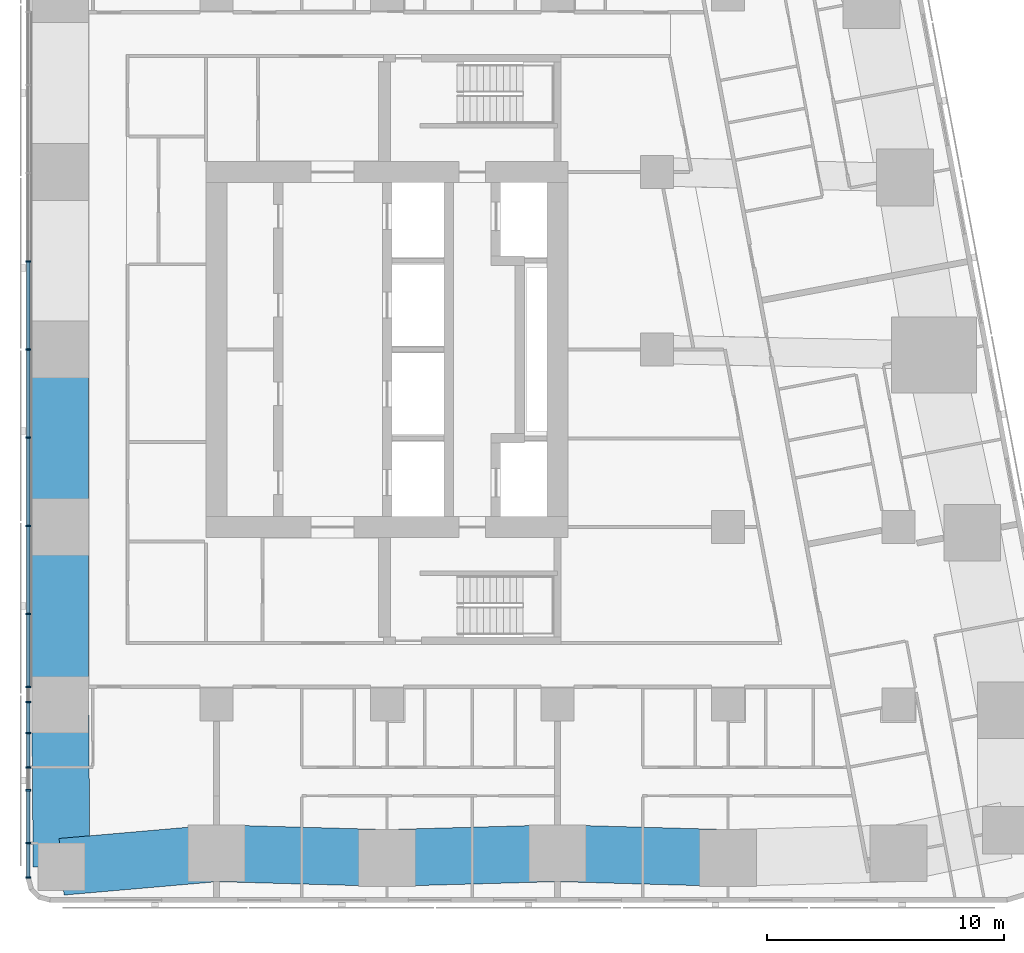
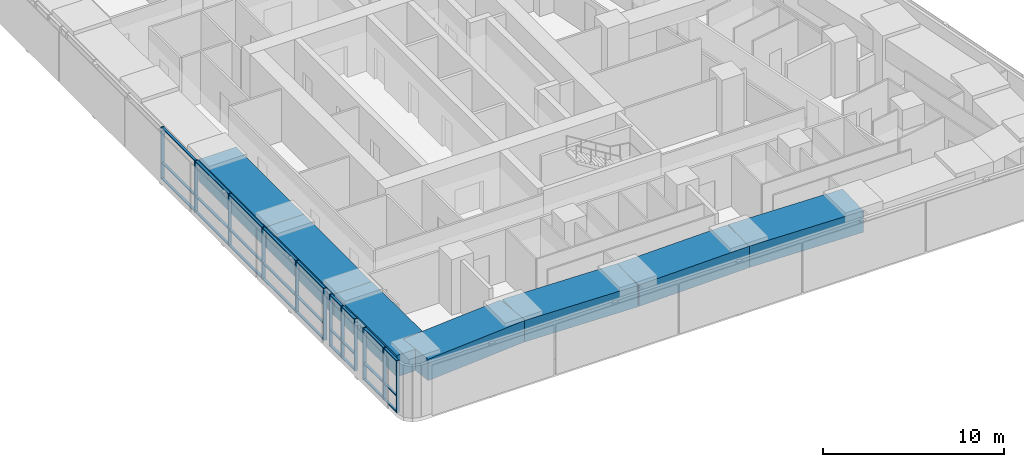
# One storey, part 2 of 19: 39 members, 7 beams, 1 element without a shape of its own.
"""IFC4 building model written with IfcOpenShell, lengths in metres."""

from ifc_helpers import new_model, si_unit, direction, frame, origin, origin_2d, place, context, subcontext, project, spatial, rectangle, extrude, material, material_profile, profile_set, type_object, element, aggregate, save


model = new_model("IFC4")

# Units and contexts
model_context = context("Model", 3, precision=1e-05, world=origin(), true_north=direction((0.0, 1.0)))
body_context = subcontext(model_context, "Body", "Model", "MODEL_VIEW")
ifc_project = project(units=[si_unit("LENGTHUNIT", "METRE"), si_unit("AREAUNIT", "SQUARE_METRE"), si_unit("VOLUMEUNIT", "CUBIC_METRE"), si_unit("PLANEANGLEUNIT", "RADIAN"), si_unit("MASSUNIT", "GRAM", prefix="KILO")], contexts=[model_context])

# Site, building, storey
site_placement = place(None, origin())
site = spatial("IfcSite", under=ifc_project, at=site_placement, CompositionType="ELEMENT")
building_placement = place(site_placement, origin())
building = spatial("IfcBuilding", under=site, at=building_placement, Name="Sheger Commons Tower", CompositionType="ELEMENT")
storey_placement = place(building_placement, frame((0.0, 0.0, 201.199951171875)))
storey = spatial("IfcBuildingStorey", under=building, at=storey_placement, Name="L51", CompositionType="ELEMENT", Elevation=201.199951171875)

# Curtain wall, members
ifc_material_1 = material(Name="Black aluminium curtain wall, dark tinted glazing", Category="aluminium")
curtain_wall_type = type_object("IfcCurtainWallType", Name="CURTAIN WALL CW4 GALLERY", PredefinedType="USERDEFINED", material=ifc_material_1)
curtain_wall_placement = place(storey_placement, origin())
curtain_wall = element("IfcCurtainWall", 1, at=curtain_wall_placement, inside=storey, type_object=curtain_wall_type, Name="Curtain Wall Cw4 Gallery W1 L51", ObjectType="UNITISED CURTAIN WALL", PredefinedType="USERDEFINED")
ifc_material_2 = material(Name="Black anodised aluminium", Category="aluminium")
ifc_material_profile_1 = material_profile(ifc_material_2, rectangle(XDim=0.199951171875, YDim=0.06494140625, at=origin_2d()), Name="AL 65x200")
ifc_profile_set_1 = profile_set([ifc_material_profile_1], Name="Black anodised aluminium")
member_type_1 = type_object("IfcMemberType", Name="MULLION AL 65x200", PredefinedType="MULLION", material=ifc_profile_set_1)
member_1_placement = place(storey_placement, frame((6.449951171875, 26.222900390625, 0.0), z_axis=(0.0, 0.0, 1.0), x_axis=(1.0, 0.0, 0.0)))
member_1 = element("IfcMember", 2, at=member_1_placement, type_object=member_type_1, Name="CW4 mullion 10", PredefinedType="MULLION", context=body_context, shape_type="SweptSolid", body=[
    extrude(rectangle(XDim=0.199951171875, YDim=0.06494140625, at=origin_2d()), origin(), (0.0, 0.0, 1.0), 3.5),
])
member_2_placement = place(storey_placement, frame((6.449951171875, 22.5, 0.0), z_axis=(0.0, 0.0, 1.0), x_axis=(1.0, 0.0, 0.0)))
member_2 = element("IfcMember", 3, at=member_2_placement, type_object=member_type_1, Name="CW4 mullion 11", PredefinedType="MULLION", context=body_context, shape_type="SweptSolid", body=[
    extrude(rectangle(XDim=0.199951171875, YDim=0.06494140625, at=origin_2d()), origin(), (0.0, 0.0, 1.0), 3.5),
])
member_3_placement = place(storey_placement, frame((6.449951171875, 18.777099609375, 0.0), z_axis=(0.0, 0.0, 1.0), x_axis=(1.0, 0.0, 0.0)))
member_3 = element("IfcMember", 4, at=member_3_placement, type_object=member_type_1, Name="CW4 mullion 12", PredefinedType="MULLION", context=body_context, shape_type="SweptSolid", body=[
    extrude(rectangle(XDim=0.199951171875, YDim=0.06494140625, at=origin_2d()), origin(), (0.0, 0.0, 1.0), 3.5),
])
member_4_placement = place(storey_placement, frame((6.449951171875, 15.053955078125, 0.0), z_axis=(0.0, 0.0, 1.0), x_axis=(1.0, 0.0, 0.0)))
member_4 = element("IfcMember", 5, at=member_4_placement, type_object=member_type_1, Name="CW4 mullion 13", PredefinedType="MULLION", context=body_context, shape_type="SweptSolid", body=[
    extrude(rectangle(XDim=0.199951171875, YDim=0.06494140625, at=origin_2d()), origin(), (0.0, 0.0, 1.0), 3.5),
])
member_5_placement = place(storey_placement, frame((6.449951171875, 11.3310546875, 0.0), z_axis=(0.0, 0.0, 1.0), x_axis=(1.0, 0.0, 0.0)))
member_5 = element("IfcMember", 6, at=member_5_placement, type_object=member_type_1, Name="CW4 mullion 14", PredefinedType="MULLION", context=body_context, shape_type="SweptSolid", body=[
    extrude(rectangle(XDim=0.199951171875, YDim=0.06494140625, at=origin_2d()), origin(), (0.0, 0.0, 1.0), 3.5),
])
member_6_placement = place(storey_placement, frame((6.449951171875, 8.25, 0.0), z_axis=(0.0, 0.0, 1.0), x_axis=(1.0, 0.0, 0.0)))
member_6 = element("IfcMember", 7, at=member_6_placement, type_object=member_type_1, Name="CW4 mullion 15", PredefinedType="MULLION", context=body_context, shape_type="SweptSolid", body=[
    extrude(rectangle(XDim=0.199951171875, YDim=0.06494140625, at=origin_2d()), origin(), (0.0, 0.0, 1.0), 3.5),
])
member_7_placement = place(storey_placement, frame((6.449951171875, 7.60888671875, 0.0), z_axis=(0.0, 0.0, 1.0), x_axis=(1.0, 0.0, 0.0)))
member_7 = element("IfcMember", 8, at=member_7_placement, type_object=member_type_1, Name="CW4 mullion 16", PredefinedType="MULLION", context=body_context, shape_type="SweptSolid", body=[
    extrude(rectangle(XDim=0.199951171875, YDim=0.06494140625, at=origin_2d()), origin(), (0.0, 0.0, 1.0), 3.5),
])
member_8_placement = place(storey_placement, frame((6.449951171875, 6.300048828125, 0.0), z_axis=(0.0, 0.0, 1.0), x_axis=(1.0, 0.0, 0.0)))
member_8 = element("IfcMember", 9, at=member_8_placement, type_object=member_type_1, Name="CW4 mullion 17", PredefinedType="MULLION", context=body_context, shape_type="SweptSolid", body=[
    extrude(rectangle(XDim=0.199951171875, YDim=0.06494140625, at=origin_2d()), origin(), (0.0, 0.0, 1.0), 3.5),
])
member_9_placement = place(storey_placement, frame((6.449951171875, 4.85009765625, 0.0), z_axis=(0.0, 0.0, 1.0), x_axis=(1.0, 0.0, 0.0)))
member_9 = element("IfcMember", 10, at=member_9_placement, type_object=member_type_1, Name="CW4 mullion 18", PredefinedType="MULLION", context=body_context, shape_type="SweptSolid", body=[
    extrude(rectangle(XDim=0.199951171875, YDim=0.06494140625, at=origin_2d()), origin(), (0.0, 0.0, 1.0), 3.5),
])
member_10_placement = place(storey_placement, frame((6.449951171875, 3.885986328125, 0.0), z_axis=(0.0, 0.0, 1.0), x_axis=(1.0, 0.0, 0.0)))
member_10 = element("IfcMember", 11, at=member_10_placement, type_object=member_type_1, Name="CW4 mullion 19", PredefinedType="MULLION", context=body_context, shape_type="SweptSolid", body=[
    extrude(rectangle(XDim=0.199951171875, YDim=0.06494140625, at=origin_2d()), origin(), (0.0, 0.0, 1.0), 3.5),
])
member_11_placement = place(storey_placement, frame((6.449951171875, 1.654052734375, 0.0), z_axis=(0.0, 0.0, 1.0), x_axis=(1.0, 0.0, 0.0)))
member_11 = element("IfcMember", 12, at=member_11_placement, type_object=member_type_1, Name="CW4 mullion 20", PredefinedType="MULLION", context=body_context, shape_type="SweptSolid", body=[
    extrude(rectangle(XDim=0.199951171875, YDim=0.06494140625, at=origin_2d()), origin(), (0.0, 0.0, 1.0), 3.5),
])
member_12_placement = place(storey_placement, frame((6.449951171875, 0.195556640625, 0.0), z_axis=(0.0, 0.0, 1.0), x_axis=(1.0, 0.0, 0.0)))
member_12 = element("IfcMember", 13, at=member_12_placement, type_object=member_type_1, Name="CW4 mullion 21", PredefinedType="MULLION", context=body_context, shape_type="SweptSolid", body=[
    extrude(rectangle(XDim=0.199951171875, YDim=0.06494140625, at=origin_2d()), origin(), (0.0, 0.0, 1.0), 3.5),
])

# Beams
ifc_material_3 = material(Name="Concrete C50/60", Category="concrete")
ifc_material_profile_2 = material_profile(ifc_material_3, rectangle(XDim=2.39990234375, YDim=1.449951171875, at=origin_2d()), Name="RC 2400x1450")
ifc_profile_set_2 = profile_set([ifc_material_profile_2], Name="Concrete C50/60")
beam_type = type_object("IfcBeamType", Name="SPANDREL RC 2400x1450", PredefinedType="SPANDREL", material=ifc_profile_set_2)
beam_1_placement = place(storey_placement, frame((7.85400390625, 0.654052734375, 2.775146484375), z_axis=(0.996216429799, 0.086906990501, 0.0), x_axis=(-0.086906990501, 0.996216429799, 0.0)))
element("IfcBeam", 14, at=beam_1_placement, inside=storey, type_object=beam_type, Name="Beam 2/A-3/A under L52", PredefinedType="SPANDREL", context=body_context, shape_type="SweptSolid", body=[
    extrude(rectangle(XDim=2.39990234375, YDim=1.449951171875, at=origin_2d()), origin(), (0.0, 0.0, 1.0), 6.57080078125),
])
beam_2_placement = place(storey_placement, frame((14.39990234375, 1.22509765625, 2.775146484375), z_axis=(0.999613688584, -0.027793409217, 0.0), x_axis=(0.027793409217, 0.999613688584, 0.0)))
element("IfcBeam", 15, at=beam_2_placement, inside=storey, type_object=beam_type, Name="Beam 3/A-4/A under L52", PredefinedType="SPANDREL", context=body_context, shape_type="SweptSolid", body=[
    extrude(rectangle(XDim=2.39990234375, YDim=1.449951171875, at=origin_2d()), origin(), (0.0, 0.0, 1.0), 7.202880859375),
])
for number, where, z_axis, x_axis, name in (
    (16, (21.60009765625, 1.02490234375, 2.775146484375), (0.9996136624, 0.027794350926, 0.0), (-0.027794350926, 0.9996136624, 0.0), "Beam 4/A-5/A under L52"),
    (17, (28.800048828125, 1.22509765625, 2.775146484375), (0.9996136624, -0.027794350926, 0.0), (0.027794350926, 0.9996136624, 0.0), "Beam 5/A-6/A under L52"),
):
    element("IfcBeam", number, at=place(storey_placement, frame(where, z_axis=z_axis, x_axis=x_axis)), inside=storey, type_object=beam_type, Name=name, PredefinedType="SPANDREL", context=body_context, shape_type="SweptSolid", body=[
        extrude(rectangle(XDim=2.39990234375, YDim=1.449951171875, at=origin_2d()), origin(), (0.0, 0.0, 1.0), 7.20263671875),
    ])
for number, where, z_axis, x_axis, name in (
    (18, (7.800048828125, 22.5, 2.775146484375), (0.0, -1.0, 0.0), (1.0, 0.0, 0.0), "Beam 2/D-2/C under L52"),
    (19, (7.800048828125, 15.0, 2.775146484375), (0.0, -1.0, 0.0), (1.0, 0.0, 0.0), "Beam 2/C-2/B under L52"),
):
    element("IfcBeam", number, at=place(storey_placement, frame(where, z_axis=z_axis, x_axis=x_axis)), inside=storey, type_object=beam_type, Name=name, PredefinedType="SPANDREL", context=body_context, shape_type="SweptSolid", body=[
        extrude(rectangle(XDim=2.39990234375, YDim=1.449951171875, at=origin_2d()), origin(), (0.0, 0.0, 1.0), 7.5),
    ])
beam_3_placement = place(storey_placement, frame((7.800048828125, 7.5, 2.775146484375), z_axis=(0.00788107188, -0.999968943871, 0.0), x_axis=(0.999968943871, 0.00788107188, 0.0)))
element("IfcBeam", 20, at=beam_3_placement, inside=storey, type_object=beam_type, Name="Beam 2/B-2/A under L52", PredefinedType="SPANDREL", context=body_context, shape_type="SweptSolid", body=[
    extrude(rectangle(XDim=2.39990234375, YDim=1.449951171875, at=origin_2d()), origin(), (0.0, 0.0, 1.0), 6.84619140625),
])

# Member
ifc_material_4 = material(Name="Black anodised aluminium", Category="aluminium")
ifc_material_profile_3 = material_profile(ifc_material_4, rectangle(XDim=0.14990234375, YDim=0.06494140625, at=origin_2d()), Name="AL 65x150")
ifc_profile_set_3 = profile_set([ifc_material_profile_3], Name="Black anodised aluminium")
member_type_2 = type_object("IfcMemberType", Name="TRANSOM AL 65x150", PredefinedType="USERDEFINED", material=ifc_profile_set_3)
member_13_placement = place(storey_placement, frame((6.449951171875, 26.1904296875, 0.032470703125), z_axis=(0.0, -1.0, 0.0), x_axis=(1.0, 0.0, 0.0)))
member_13 = element("IfcMember", 21, at=member_13_placement, type_object=member_type_2, Name="CW4 transom 10.1", ObjectType="TRANSOM", PredefinedType="USERDEFINED", context=body_context, shape_type="SweptSolid", body=[
    extrude(rectangle(XDim=0.14990234375, YDim=0.06494140625, at=origin_2d()), origin(), (0.0, 0.0, 1.0), 3.657958984375),
])

member_14_placement = place(storey_placement, frame((6.449951171875, 26.1904296875, 1.10009765625), z_axis=(0.0, -1.0, 0.0), x_axis=(1.0, 0.0, 0.0)))
member_14 = element("IfcMember", 22, at=member_14_placement, type_object=member_type_2, Name="CW4 transom 10.2", ObjectType="TRANSOM", PredefinedType="USERDEFINED", context=body_context, shape_type="SweptSolid", body=[
    extrude(rectangle(XDim=0.14990234375, YDim=0.06494140625, at=origin_2d()), origin(), (0.0, 0.0, 1.0), 3.657958984375),
])

member_15_placement = place(storey_placement, frame((6.449951171875, 26.1904296875, 3.467529296875), z_axis=(0.0, -1.0, 0.0), x_axis=(1.0, 0.0, 0.0)))
member_15 = element("IfcMember", 23, at=member_15_placement, type_object=member_type_2, Name="CW4 transom 10.3", ObjectType="TRANSOM", PredefinedType="USERDEFINED", context=body_context, shape_type="SweptSolid", body=[
    extrude(rectangle(XDim=0.14990234375, YDim=0.06494140625, at=origin_2d()), origin(), (0.0, 0.0, 1.0), 3.657958984375),
])

member_16_placement = place(storey_placement, frame((6.449951171875, 22.467529296875, 0.032470703125), z_axis=(0.0, -1.0, 0.0), x_axis=(1.0, 0.0, 0.0)))
member_16 = element("IfcMember", 24, at=member_16_placement, type_object=member_type_2, Name="CW4 transom 11.1", ObjectType="TRANSOM", PredefinedType="USERDEFINED", context=body_context, shape_type="SweptSolid", body=[
    extrude(rectangle(XDim=0.14990234375, YDim=0.06494140625, at=origin_2d()), origin(), (0.0, 0.0, 1.0), 3.657958984375),
])

member_17_placement = place(storey_placement, frame((6.449951171875, 22.467529296875, 1.10009765625), z_axis=(0.0, -1.0, 0.0), x_axis=(1.0, 0.0, 0.0)))
member_17 = element("IfcMember", 25, at=member_17_placement, type_object=member_type_2, Name="CW4 transom 11.2", ObjectType="TRANSOM", PredefinedType="USERDEFINED", context=body_context, shape_type="SweptSolid", body=[
    extrude(rectangle(XDim=0.14990234375, YDim=0.06494140625, at=origin_2d()), origin(), (0.0, 0.0, 1.0), 3.657958984375),
])

member_18_placement = place(storey_placement, frame((6.449951171875, 22.467529296875, 3.467529296875), z_axis=(0.0, -1.0, 0.0), x_axis=(1.0, 0.0, 0.0)))
member_18 = element("IfcMember", 26, at=member_18_placement, type_object=member_type_2, Name="CW4 transom 11.3", ObjectType="TRANSOM", PredefinedType="USERDEFINED", context=body_context, shape_type="SweptSolid", body=[
    extrude(rectangle(XDim=0.14990234375, YDim=0.06494140625, at=origin_2d()), origin(), (0.0, 0.0, 1.0), 3.657958984375),
])

member_19_placement = place(storey_placement, frame((6.449951171875, 18.744384765625, 0.032470703125), z_axis=(0.0, -1.0, 0.0), x_axis=(1.0, 0.0, 0.0)))
member_19 = element("IfcMember", 27, at=member_19_placement, type_object=member_type_2, Name="CW4 transom 12.1", ObjectType="TRANSOM", PredefinedType="USERDEFINED", context=body_context, shape_type="SweptSolid", body=[
    extrude(rectangle(XDim=0.14990234375, YDim=0.06494140625, at=origin_2d()), origin(), (0.0, 0.0, 1.0), 3.657958984375),
])

member_20_placement = place(storey_placement, frame((6.449951171875, 18.744384765625, 1.10009765625), z_axis=(0.0, -1.0, 0.0), x_axis=(1.0, 0.0, 0.0)))
member_20 = element("IfcMember", 28, at=member_20_placement, type_object=member_type_2, Name="CW4 transom 12.2", ObjectType="TRANSOM", PredefinedType="USERDEFINED", context=body_context, shape_type="SweptSolid", body=[
    extrude(rectangle(XDim=0.14990234375, YDim=0.06494140625, at=origin_2d()), origin(), (0.0, 0.0, 1.0), 3.657958984375),
])

member_21_placement = place(storey_placement, frame((6.449951171875, 18.744384765625, 3.467529296875), z_axis=(0.0, -1.0, 0.0), x_axis=(1.0, 0.0, 0.0)))
member_21 = element("IfcMember", 29, at=member_21_placement, type_object=member_type_2, Name="CW4 transom 12.3", ObjectType="TRANSOM", PredefinedType="USERDEFINED", context=body_context, shape_type="SweptSolid", body=[
    extrude(rectangle(XDim=0.14990234375, YDim=0.06494140625, at=origin_2d()), origin(), (0.0, 0.0, 1.0), 3.657958984375),
])

member_22_placement = place(storey_placement, frame((6.449951171875, 15.021484375, 0.032470703125), z_axis=(0.0, -1.0, 0.0), x_axis=(1.0, 0.0, 0.0)))
member_22 = element("IfcMember", 30, at=member_22_placement, type_object=member_type_2, Name="CW4 transom 13.1", ObjectType="TRANSOM", PredefinedType="USERDEFINED", context=body_context, shape_type="SweptSolid", body=[
    extrude(rectangle(XDim=0.14990234375, YDim=0.06494140625, at=origin_2d()), origin(), (0.0, 0.0, 1.0), 3.657958984375),
])

member_23_placement = place(storey_placement, frame((6.449951171875, 15.021484375, 1.10009765625), z_axis=(0.0, -1.0, 0.0), x_axis=(1.0, 0.0, 0.0)))
member_23 = element("IfcMember", 31, at=member_23_placement, type_object=member_type_2, Name="CW4 transom 13.2", ObjectType="TRANSOM", PredefinedType="USERDEFINED", context=body_context, shape_type="SweptSolid", body=[
    extrude(rectangle(XDim=0.14990234375, YDim=0.06494140625, at=origin_2d()), origin(), (0.0, 0.0, 1.0), 3.657958984375),
])

member_24_placement = place(storey_placement, frame((6.449951171875, 15.021484375, 3.467529296875), z_axis=(0.0, -1.0, 0.0), x_axis=(1.0, 0.0, 0.0)))
member_24 = element("IfcMember", 32, at=member_24_placement, type_object=member_type_2, Name="CW4 transom 13.3", ObjectType="TRANSOM", PredefinedType="USERDEFINED", context=body_context, shape_type="SweptSolid", body=[
    extrude(rectangle(XDim=0.14990234375, YDim=0.06494140625, at=origin_2d()), origin(), (0.0, 0.0, 1.0), 3.657958984375),
])

member_25_placement = place(storey_placement, frame((6.449951171875, 11.298583984375, 0.032470703125), z_axis=(0.0, -1.0, 0.0), x_axis=(1.0, 0.0, 0.0)))
member_25 = element("IfcMember", 33, at=member_25_placement, type_object=member_type_2, Name="CW4 transom 14.1", ObjectType="TRANSOM", PredefinedType="USERDEFINED", context=body_context, shape_type="SweptSolid", body=[
    extrude(rectangle(XDim=0.14990234375, YDim=0.06494140625, at=origin_2d()), origin(), (0.0, 0.0, 1.0), 3.01611328125),
])

member_26_placement = place(storey_placement, frame((6.449951171875, 11.298583984375, 1.10009765625), z_axis=(0.0, -1.0, 0.0), x_axis=(1.0, 0.0, 0.0)))
member_26 = element("IfcMember", 34, at=member_26_placement, type_object=member_type_2, Name="CW4 transom 14.2", ObjectType="TRANSOM", PredefinedType="USERDEFINED", context=body_context, shape_type="SweptSolid", body=[
    extrude(rectangle(XDim=0.14990234375, YDim=0.06494140625, at=origin_2d()), origin(), (0.0, 0.0, 1.0), 3.01611328125),
])

member_27_placement = place(storey_placement, frame((6.449951171875, 11.298583984375, 3.467529296875), z_axis=(0.0, -1.0, 0.0), x_axis=(1.0, 0.0, 0.0)))
member_27 = element("IfcMember", 35, at=member_27_placement, type_object=member_type_2, Name="CW4 transom 14.3", ObjectType="TRANSOM", PredefinedType="USERDEFINED", context=body_context, shape_type="SweptSolid", body=[
    extrude(rectangle(XDim=0.14990234375, YDim=0.06494140625, at=origin_2d()), origin(), (0.0, 0.0, 1.0), 3.01611328125),
])

member_28_placement = place(storey_placement, frame((6.449951171875, 7.576416015625, 0.032470703125), z_axis=(0.0, -1.0, 0.0), x_axis=(1.0, 0.0, 0.0)))
member_28 = element("IfcMember", 36, at=member_28_placement, type_object=member_type_2, Name="CW4 transom 16.1", ObjectType="TRANSOM", PredefinedType="USERDEFINED", context=body_context, shape_type="SweptSolid", body=[
    extrude(rectangle(XDim=0.14990234375, YDim=0.06494140625, at=origin_2d()), origin(), (0.0, 0.0, 1.0), 1.243896484375),
])

member_29_placement = place(storey_placement, frame((6.449951171875, 7.576416015625, 1.10009765625), z_axis=(0.0, -1.0, 0.0), x_axis=(1.0, 0.0, 0.0)))
member_29 = element("IfcMember", 37, at=member_29_placement, type_object=member_type_2, Name="CW4 transom 16.2", ObjectType="TRANSOM", PredefinedType="USERDEFINED", context=body_context, shape_type="SweptSolid", body=[
    extrude(rectangle(XDim=0.14990234375, YDim=0.06494140625, at=origin_2d()), origin(), (0.0, 0.0, 1.0), 1.243896484375),
])

member_30_placement = place(storey_placement, frame((6.449951171875, 7.576416015625, 3.467529296875), z_axis=(0.0, -1.0, 0.0), x_axis=(1.0, 0.0, 0.0)))
member_30 = element("IfcMember", 38, at=member_30_placement, type_object=member_type_2, Name="CW4 transom 16.3", ObjectType="TRANSOM", PredefinedType="USERDEFINED", context=body_context, shape_type="SweptSolid", body=[
    extrude(rectangle(XDim=0.14990234375, YDim=0.06494140625, at=origin_2d()), origin(), (0.0, 0.0, 1.0), 1.243896484375),
])

member_31_placement = place(storey_placement, frame((6.449951171875, 6.267578125, 0.032470703125), z_axis=(0.0, -1.0, 0.0), x_axis=(1.0, 0.0, 0.0)))
member_31 = element("IfcMember", 39, at=member_31_placement, type_object=member_type_2, Name="CW4 transom 17.1", ObjectType="TRANSOM", PredefinedType="USERDEFINED", context=body_context, shape_type="SweptSolid", body=[
    extrude(rectangle(XDim=0.14990234375, YDim=0.06494140625, at=origin_2d()), origin(), (0.0, 0.0, 1.0), 1.385009765625),
])

member_32_placement = place(storey_placement, frame((6.449951171875, 6.267578125, 1.10009765625), z_axis=(0.0, -1.0, 0.0), x_axis=(1.0, 0.0, 0.0)))
member_32 = element("IfcMember", 40, at=member_32_placement, type_object=member_type_2, Name="CW4 transom 17.2", ObjectType="TRANSOM", PredefinedType="USERDEFINED", context=body_context, shape_type="SweptSolid", body=[
    extrude(rectangle(XDim=0.14990234375, YDim=0.06494140625, at=origin_2d()), origin(), (0.0, 0.0, 1.0), 1.385009765625),
])

member_33_placement = place(storey_placement, frame((6.449951171875, 6.267578125, 3.467529296875), z_axis=(0.0, -1.0, 0.0), x_axis=(1.0, 0.0, 0.0)))
member_33 = element("IfcMember", 41, at=member_33_placement, type_object=member_type_2, Name="CW4 transom 17.3", ObjectType="TRANSOM", PredefinedType="USERDEFINED", context=body_context, shape_type="SweptSolid", body=[
    extrude(rectangle(XDim=0.14990234375, YDim=0.06494140625, at=origin_2d()), origin(), (0.0, 0.0, 1.0), 1.385009765625),
])

member_34_placement = place(storey_placement, frame((6.449951171875, 3.853515625, 0.032470703125), z_axis=(0.0, -1.0, 0.0), x_axis=(1.0, 0.0, 0.0)))
member_34 = element("IfcMember", 42, at=member_34_placement, type_object=member_type_2, Name="CW4 transom 19.1", ObjectType="TRANSOM", PredefinedType="USERDEFINED", context=body_context, shape_type="SweptSolid", body=[
    extrude(rectangle(XDim=0.14990234375, YDim=0.06494140625, at=origin_2d()), origin(), (0.0, 0.0, 1.0), 2.1669921875),
])

member_35_placement = place(storey_placement, frame((6.449951171875, 3.853515625, 1.10009765625), z_axis=(0.0, -1.0, 0.0), x_axis=(1.0, 0.0, 0.0)))
member_35 = element("IfcMember", 43, at=member_35_placement, type_object=member_type_2, Name="CW4 transom 19.2", ObjectType="TRANSOM", PredefinedType="USERDEFINED", context=body_context, shape_type="SweptSolid", body=[
    extrude(rectangle(XDim=0.14990234375, YDim=0.06494140625, at=origin_2d()), origin(), (0.0, 0.0, 1.0), 2.1669921875),
])

member_36_placement = place(storey_placement, frame((6.449951171875, 3.853515625, 3.467529296875), z_axis=(0.0, -1.0, 0.0), x_axis=(1.0, 0.0, 0.0)))
member_36 = element("IfcMember", 44, at=member_36_placement, type_object=member_type_2, Name="CW4 transom 19.3", ObjectType="TRANSOM", PredefinedType="USERDEFINED", context=body_context, shape_type="SweptSolid", body=[
    extrude(rectangle(XDim=0.14990234375, YDim=0.06494140625, at=origin_2d()), origin(), (0.0, 0.0, 1.0), 2.1669921875),
])

member_37_placement = place(storey_placement, frame((6.449951171875, 1.62158203125, 0.032470703125), z_axis=(0.0, -1.0, 0.0), x_axis=(1.0, 0.0, 0.0)))
member_37 = element("IfcMember", 45, at=member_37_placement, type_object=member_type_2, Name="CW4 transom 20.1", ObjectType="TRANSOM", PredefinedType="USERDEFINED", context=body_context, shape_type="SweptSolid", body=[
    extrude(rectangle(XDim=0.14990234375, YDim=0.06494140625, at=origin_2d()), origin(), (0.0, 0.0, 1.0), 1.3935546875),
])

member_38_placement = place(storey_placement, frame((6.449951171875, 1.62158203125, 1.10009765625), z_axis=(0.0, -1.0, 0.0), x_axis=(1.0, 0.0, 0.0)))
member_38 = element("IfcMember", 46, at=member_38_placement, type_object=member_type_2, Name="CW4 transom 20.2", ObjectType="TRANSOM", PredefinedType="USERDEFINED", context=body_context, shape_type="SweptSolid", body=[
    extrude(rectangle(XDim=0.14990234375, YDim=0.06494140625, at=origin_2d()), origin(), (0.0, 0.0, 1.0), 1.3935546875),
])

member_39_placement = place(storey_placement, frame((6.449951171875, 1.62158203125, 3.467529296875), z_axis=(0.0, -1.0, 0.0), x_axis=(1.0, 0.0, 0.0)))
member_39 = element("IfcMember", 47, at=member_39_placement, type_object=member_type_2, Name="CW4 transom 20.3", ObjectType="TRANSOM", PredefinedType="USERDEFINED", context=body_context, shape_type="SweptSolid", body=[
    extrude(rectangle(XDim=0.14990234375, YDim=0.06494140625, at=origin_2d()), origin(), (0.0, 0.0, 1.0), 1.3935546875),
])

aggregate(curtain_wall, [member_1, member_2, member_3, member_4, member_5, member_6, member_7, member_8, member_9, member_10, member_11, member_12, member_13, member_14, member_15, member_16, member_17, member_18, member_19, member_20, member_21, member_22, member_23, member_24, member_25, member_26, member_27, member_28, member_29, member_30, member_31, member_32, member_33, member_34, member_35, member_36, member_37, member_38, member_39])

save(model, "model.ifc")
